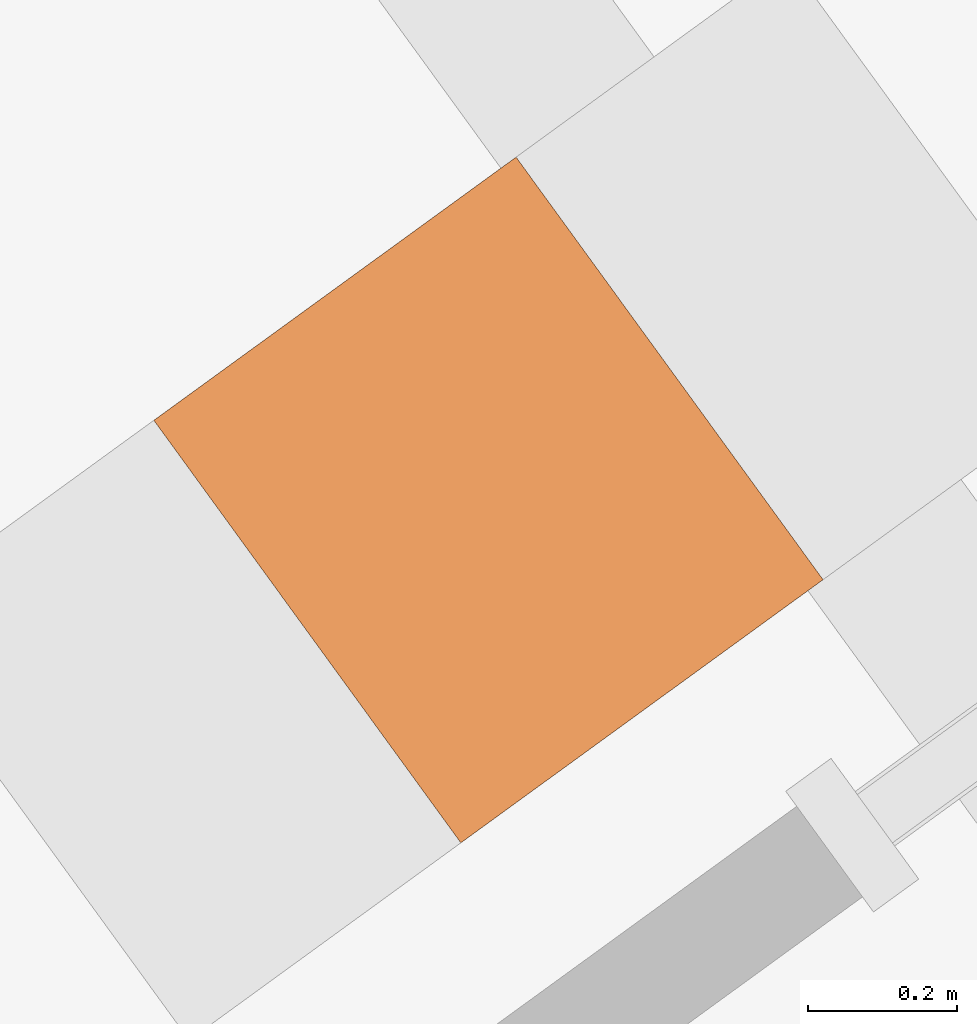
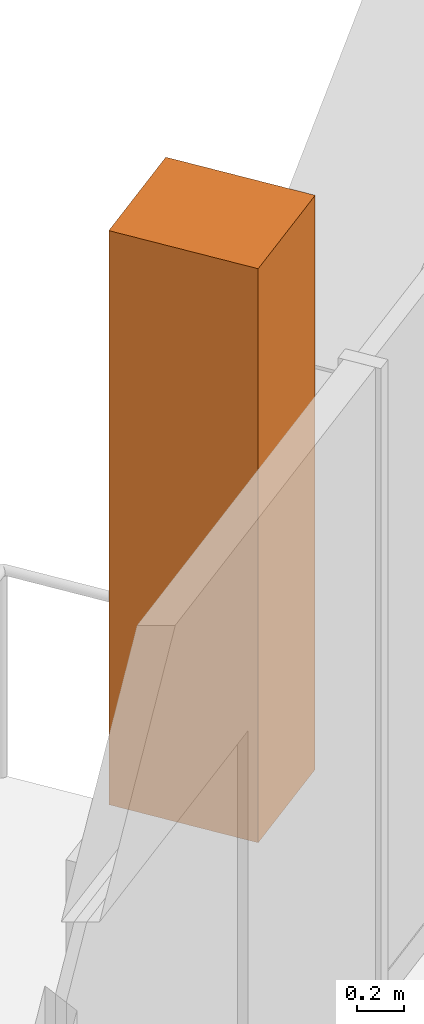
# One storey, part 21 of 21: 1 geographic element.
"""IFC4 building model written with IfcOpenShell, lengths in metres."""

from ifc_helpers import new_model, si_unit, direction, frame, origin, origin_2d, place, context, subcontext, project, spatial, rectangle, extrude, source, transform, mapped, material, type_object, element, save


model = new_model("IFC4")

# Units and contexts
model_context = context("Model", 3, precision=1e-05, world=origin(), true_north=direction((0.0, 1.0)))
body_context = subcontext(model_context, "Body", "Model", "MODEL_VIEW")
ifc_project = project(units=[si_unit("LENGTHUNIT", "METRE"), si_unit("AREAUNIT", "SQUARE_METRE"), si_unit("VOLUMEUNIT", "CUBIC_METRE"), si_unit("PLANEANGLEUNIT", "RADIAN"), si_unit("MASSUNIT", "GRAM", prefix="KILO")], contexts=[model_context])

# Site, building, storey
site_placement = place(None, origin())
site = spatial("IfcSite", under=ifc_project, at=site_placement, CompositionType="ELEMENT")
building_placement = place(site_placement, origin())
building = spatial("IfcBuilding", under=site, at=building_placement, Name="Triune Harvest Tower", CompositionType="ELEMENT")
storey_placement = place(building_placement, frame((0.0, 0.0, 72.89990234375)))
storey = spatial("IfcBuildingStorey", under=building, at=storey_placement, Name="L17", CompositionType="ELEMENT", Elevation=72.89990234375)

# Geographic element
ifc_material = material(Name="TREE-1 tree")
geographic_element_type = type_object("IfcGeographicElementType", Name="TREE-1 tree", PredefinedType="USERDEFINED", material=ifc_material)
shared_shape = source(origin(), body_context, "Body", "SweptSolid", [
    extrude(rectangle(XDim=0.60009765625, YDim=0.699951171875, at=origin_2d()), origin(), (0.0, 0.0, 1.0), 3.0),
])
geographic_element_placement = place(storey_placement, frame((-21.056396484375, 13.56103515625, 1.10009765625), z_axis=(0.0, 0.0, 1.0), x_axis=(-0.809017013446, -0.587785226043, 0.0)))
element("IfcGeographicElement", 1, at=geographic_element_placement, inside=storey, type_object=geographic_element_type, Name="Tree B2-F3 L17.9a", ObjectType="TREE", PredefinedType="USERDEFINED", context=body_context, shape_type="MappedRepresentation", body=[
    mapped(shared_shape, transform((0.0, 0.0, 0.0), scale=1.0)),
])

save(model, "model.ifc")
